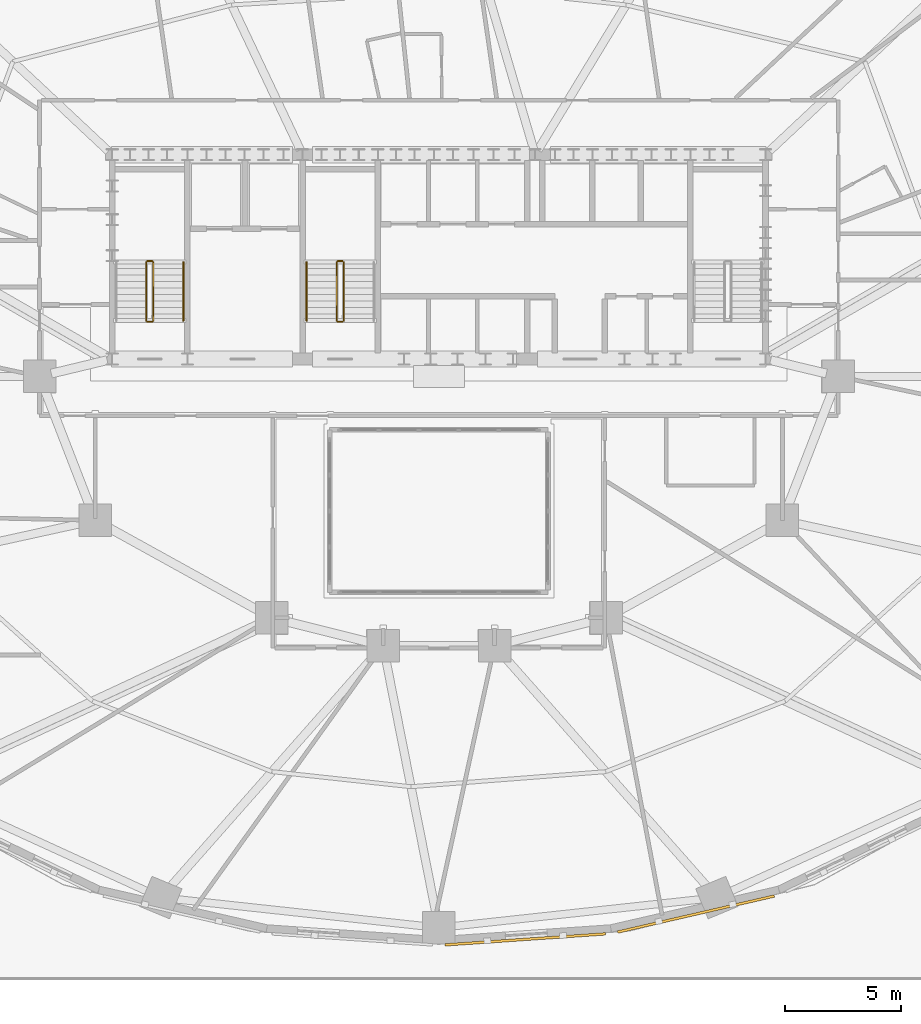
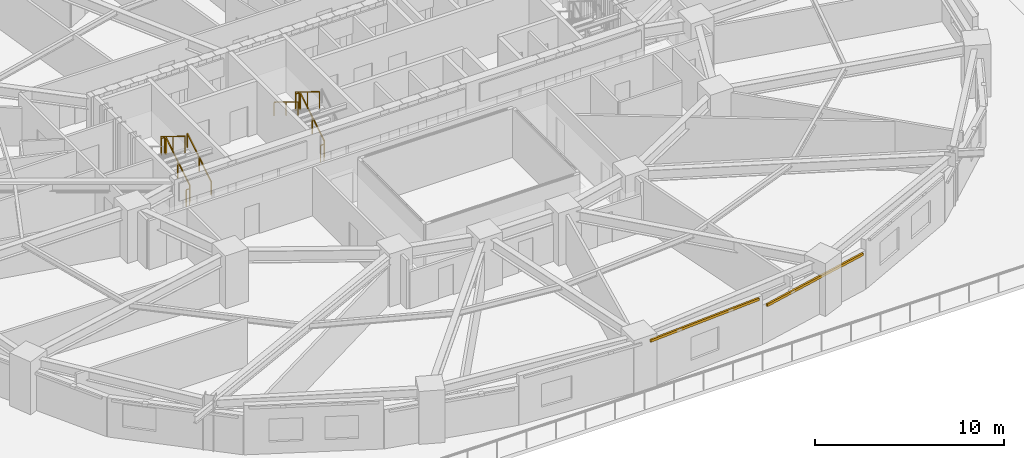
# One storey, part 14 of 18: 10 railings, 2 coverings.
"""IFC4 building model written with IfcOpenShell, lengths in metres."""

from ifc_helpers import new_model, si_unit, direction, frame, origin, origin_2d, place, context, subcontext, project, spatial, polyline, rectangle, outline, extrude, material, layer, layer_set, type_object, element, save


model = new_model("IFC4")

# Units and contexts
model_context = context("Model", 3, precision=1e-05, world=origin(), true_north=direction((0.0, 1.0)))
body_context = subcontext(model_context, "Body", "Model", "MODEL_VIEW")
ifc_project = project(units=[si_unit("LENGTHUNIT", "METRE"), si_unit("AREAUNIT", "SQUARE_METRE"), si_unit("VOLUMEUNIT", "CUBIC_METRE"), si_unit("PLANEANGLEUNIT", "RADIAN"), si_unit("MASSUNIT", "GRAM", prefix="KILO")], contexts=[model_context])

# Site, building, storey
site_placement = place(None, origin())
site = spatial("IfcSite", under=ifc_project, at=site_placement, CompositionType="ELEMENT")
building_placement = place(site_placement, origin())
building = spatial("IfcBuilding", under=site, at=building_placement, Name="Haldorwick Loom Tower", CompositionType="ELEMENT")
storey_placement = place(building_placement, frame((0.0, 0.0, 24.0)))
storey = spatial("IfcBuildingStorey", under=building, at=storey_placement, Name="L05", CompositionType="ELEMENT", Elevation=24.0)

# Coverings
ifc_material_1 = material(Name="Corbelled Pressed Clay Face Brick Veneer", Category="masonry")
ifc_layer = layer(ifc_material_1, 0.110107421875, Name="Corbelled Pressed Clay Face Brick Veneer", Category="masonry")
ifc_layer_set = layer_set([ifc_layer], Name="Corbelled Pressed Clay Face Brick Veneer")
covering_type = type_object("IfcCoveringType", Name="ARC-COV-BRICK110", PredefinedType="CLADDING", material=ifc_layer_set)
covering_1_placement = place(storey_placement, frame((0.0, 0.0, 3.050048828125)))
element("IfcCovering", 1, at=covering_1_placement, inside=storey, type_object=covering_type, Name="L05 Head Face-Brick Lintel Band 19", PredefinedType="CLADDING", context=body_context, shape_type="SweptSolid", body=[
    extrude(outline(polyline([(36.267822265625, 1.457763671875), (43.180419921875, 1.93310546875), (43.1728515625, 2.042724609375), (36.260498046875, 1.5673828125), (36.267822265625, 1.457763671875)])), origin(), (0.0, 0.0, 1.0), 0.159912109375),
])
covering_2_placement = place(storey_placement, frame((0.0, 0.0, 2.408935546875)))
element("IfcCovering", 2, at=covering_2_placement, inside=storey, type_object=covering_type, Name="L05 Head Face-Brick Lintel Band 20", PredefinedType="CLADDING", context=body_context, shape_type="SweptSolid", body=[
    extrude(outline(polyline([(43.715576171875, 2.012451171875), (50.461669921875, 3.565185546875), (50.43701171875, 3.67236328125), (43.69091796875, 2.11962890625), (43.715576171875, 2.012451171875)])), origin(), (0.0, 0.0, 1.0), 0.16015625),
])

# Railings
ifc_material_2 = material(Name="Steel CSA G40.21 350W", Category="steel")
railing_type_1 = type_object("IfcRailingType", Name="ARC-RLG-GUARD112", PredefinedType="GUARDRAIL", material=ifc_material_2)
railing_1_placement = place(storey_placement, frame((23.699951171875, 28.39990234375, 0.172607421875)))
element("IfcRailing", 3, at=railing_1_placement, inside=storey, type_object=railing_type_1, Name="L05 ST-01 stair guard 1", PredefinedType="GUARDRAIL", context=body_context, shape_type="SweptSolid", body=[
    extrude(rectangle(XDim=0.048095703125, YDim=0.048095703125, at=origin_2d()), frame((0.0, 0.0, 1.076171875), z_axis=(0.0, 0.851400495292, 0.524516154772), x_axis=(-1.0, 0.0, 0.0)), (0.0, 0.0, 1.0), 2.9599609375),
    extrude(rectangle(XDim=0.0419921875, YDim=0.0419921875, at=origin_2d()), origin(), (0.0, 0.0, 1.0), 1.052001953125),
    extrude(rectangle(XDim=0.0419921875, YDim=0.0419921875, at=origin_2d()), frame((0.0, 1.260009765625, 0.7763671875)), (0.0, 0.0, 1.0), 1.052001953125),
    extrude(rectangle(XDim=0.0419921875, YDim=0.0419921875, at=origin_2d()), frame((0.0, 2.52001953125, 1.552490234375)), (0.0, 0.0, 1.0), 1.052001953125),
])
railing_2_placement = place(storey_placement, frame((23.64990234375, 30.969970703125, 1.72509765625)))
element("IfcRailing", 4, at=railing_2_placement, inside=storey, type_object=railing_type_1, Name="L05 ST-01 stair guard 2", PredefinedType="GUARDRAIL", context=body_context, shape_type="SweptSolid", body=[
    extrude(rectangle(XDim=0.048095703125, YDim=0.048095703125, at=origin_2d()), frame((0.0, 0.0, 1.076171875), z_axis=(-1.0, 0.0, 0.0), x_axis=(0.0, -1.0, 0.0)), (0.0, 0.0, 1.0), 0.199951171875),
    extrude(rectangle(XDim=0.0419921875, YDim=0.0419921875, at=origin_2d()), origin(), (0.0, 0.0, 1.0), 1.052001953125),
    extrude(rectangle(XDim=0.0419921875, YDim=0.0419921875, at=origin_2d()), frame((-0.199951171875, 0.0, 0.0)), (0.0, 0.0, 1.0), 1.052001953125),
])
railing_3_placement = place(storey_placement, frame((23.39990234375, 30.919921875, 1.8974609375)))
element("IfcRailing", 5, at=railing_3_placement, inside=storey, type_object=railing_type_1, Name="L05 ST-01 stair guard 3", PredefinedType="GUARDRAIL", context=body_context, shape_type="SweptSolid", body=[
    extrude(rectangle(XDim=0.048095703125, YDim=0.048095703125, at=origin_2d()), frame((0.0, 0.0, 1.076171875), z_axis=(0.0, -0.851400495292, 0.524516154772), x_axis=(1.0, 0.0, 0.0)), (0.0, 0.0, 1.0), 2.9599609375),
    extrude(rectangle(XDim=0.0419921875, YDim=0.0419921875, at=origin_2d()), origin(), (0.0, 0.0, 1.0), 1.052001953125),
    extrude(rectangle(XDim=0.0419921875, YDim=0.0419921875, at=origin_2d()), frame((0.0, -1.260009765625, 0.7763671875)), (0.0, 0.0, 1.0), 1.052001953125),
    extrude(rectangle(XDim=0.0419921875, YDim=0.0419921875, at=origin_2d()), frame((0.0, -2.52001953125, 1.552490234375)), (0.0, 0.0, 1.0), 1.052001953125),
])
railing_4_placement = place(storey_placement, frame((23.64990234375, 28.35009765625, 0.0)))
element("IfcRailing", 6, at=railing_4_placement, inside=storey, type_object=railing_type_1, Name="L05 ST-01 stair guard 4", PredefinedType="GUARDRAIL", context=body_context, shape_type="SweptSolid", body=[
    extrude(rectangle(XDim=0.048095703125, YDim=0.048095703125, at=origin_2d()), frame((0.0, 0.0, 1.076171875), z_axis=(-1.0, 0.0, 0.0), x_axis=(0.0, -1.0, 0.0)), (0.0, 0.0, 1.0), 0.199951171875),
    extrude(rectangle(XDim=0.0419921875, YDim=0.0419921875, at=origin_2d()), origin(), (0.0, 0.0, 1.0), 1.052001953125),
    extrude(rectangle(XDim=0.0419921875, YDim=0.0419921875, at=origin_2d()), frame((-0.199951171875, 0.0, 0.0)), (0.0, 0.0, 1.0), 1.052001953125),
])
railing_5_placement = place(storey_placement, frame((31.89990234375, 28.39990234375, 0.172607421875)))
element("IfcRailing", 7, at=railing_5_placement, inside=storey, type_object=railing_type_1, Name="L05 ST-03 stair guard 1", PredefinedType="GUARDRAIL", context=body_context, shape_type="SweptSolid", body=[
    extrude(rectangle(XDim=0.048095703125, YDim=0.048095703125, at=origin_2d()), frame((0.0, 0.0, 1.076171875), z_axis=(0.0, 0.851400495292, 0.524516154772), x_axis=(-1.0, 0.0, 0.0)), (0.0, 0.0, 1.0), 2.9599609375),
    extrude(rectangle(XDim=0.0419921875, YDim=0.0419921875, at=origin_2d()), origin(), (0.0, 0.0, 1.0), 1.052001953125),
    extrude(rectangle(XDim=0.0419921875, YDim=0.0419921875, at=origin_2d()), frame((0.0, 1.260009765625, 0.7763671875)), (0.0, 0.0, 1.0), 1.052001953125),
    extrude(rectangle(XDim=0.0419921875, YDim=0.0419921875, at=origin_2d()), frame((0.0, 2.52001953125, 1.552490234375)), (0.0, 0.0, 1.0), 1.052001953125),
])
railing_6_placement = place(storey_placement, frame((31.85009765625, 30.969970703125, 1.72509765625)))
element("IfcRailing", 8, at=railing_6_placement, inside=storey, type_object=railing_type_1, Name="L05 ST-03 stair guard 2", PredefinedType="GUARDRAIL", context=body_context, shape_type="SweptSolid", body=[
    extrude(rectangle(XDim=0.048095703125, YDim=0.048095703125, at=origin_2d()), frame((0.0, 0.0, 1.076171875), z_axis=(-1.0, 0.0, 0.0), x_axis=(0.0, -1.0, 0.0)), (0.0, 0.0, 1.0), 0.2001953125),
    extrude(rectangle(XDim=0.0419921875, YDim=0.0419921875, at=origin_2d()), origin(), (0.0, 0.0, 1.0), 1.052001953125),
    extrude(rectangle(XDim=0.0419921875, YDim=0.0419921875, at=origin_2d()), frame((-0.2001953125, 0.0, 0.0)), (0.0, 0.0, 1.0), 1.052001953125),
])
railing_7_placement = place(storey_placement, frame((31.60009765625, 30.919921875, 1.8974609375)))
element("IfcRailing", 9, at=railing_7_placement, inside=storey, type_object=railing_type_1, Name="L05 ST-03 stair guard 3", PredefinedType="GUARDRAIL", context=body_context, shape_type="SweptSolid", body=[
    extrude(rectangle(XDim=0.048095703125, YDim=0.048095703125, at=origin_2d()), frame((0.0, 0.0, 1.076171875), z_axis=(0.0, -0.851400495292, 0.524516154772), x_axis=(1.0, 0.0, 0.0)), (0.0, 0.0, 1.0), 2.9599609375),
    extrude(rectangle(XDim=0.0419921875, YDim=0.0419921875, at=origin_2d()), origin(), (0.0, 0.0, 1.0), 1.052001953125),
    extrude(rectangle(XDim=0.0419921875, YDim=0.0419921875, at=origin_2d()), frame((0.0, -1.260009765625, 0.7763671875)), (0.0, 0.0, 1.0), 1.052001953125),
    extrude(rectangle(XDim=0.0419921875, YDim=0.0419921875, at=origin_2d()), frame((0.0, -2.52001953125, 1.552490234375)), (0.0, 0.0, 1.0), 1.052001953125),
])
railing_8_placement = place(storey_placement, frame((31.85009765625, 28.35009765625, 0.0)))
element("IfcRailing", 10, at=railing_8_placement, inside=storey, type_object=railing_type_1, Name="L05 ST-03 stair guard 4", PredefinedType="GUARDRAIL", context=body_context, shape_type="SweptSolid", body=[
    extrude(rectangle(XDim=0.048095703125, YDim=0.048095703125, at=origin_2d()), frame((0.0, 0.0, 1.076171875), z_axis=(-1.0, 0.0, 0.0), x_axis=(0.0, -1.0, 0.0)), (0.0, 0.0, 1.0), 0.2001953125),
    extrude(rectangle(XDim=0.0419921875, YDim=0.0419921875, at=origin_2d()), origin(), (0.0, 0.0, 1.0), 1.052001953125),
    extrude(rectangle(XDim=0.0419921875, YDim=0.0419921875, at=origin_2d()), frame((-0.2001953125, 0.0, 0.0)), (0.0, 0.0, 1.0), 1.052001953125),
])
railing_type_2 = type_object("IfcRailingType", Name="ARC-RLG-HAND092", PredefinedType="HANDRAIL", material=ifc_material_2)
railing_9_placement = place(storey_placement, frame((25.0, 28.39990234375, 0.172607421875)))
element("IfcRailing", 11, at=railing_9_placement, inside=storey, type_object=railing_type_2, Name="L05 ST-01 stair handrail 1", PredefinedType="HANDRAIL", context=body_context, shape_type="SweptSolid", body=[
    extrude(rectangle(XDim=0.048095703125, YDim=0.048095703125, at=origin_2d()), frame((0.0, 0.0, 0.8759765625), z_axis=(0.0, 0.851400495292, 0.524516154772), x_axis=(-1.0, 0.0, 0.0)), (0.0, 0.0, 1.0), 2.9599609375),
    extrude(rectangle(XDim=0.0419921875, YDim=0.0419921875, at=origin_2d()), origin(), (0.0, 0.0, 1.0), 0.851806640625),
    extrude(rectangle(XDim=0.0419921875, YDim=0.0419921875, at=origin_2d()), frame((0.0, 1.260009765625, 0.7763671875)), (0.0, 0.0, 1.0), 0.851806640625),
    extrude(rectangle(XDim=0.0419921875, YDim=0.0419921875, at=origin_2d()), frame((0.0, 2.52001953125, 1.552490234375)), (0.0, 0.0, 1.0), 0.851806640625),
])
railing_10_placement = place(storey_placement, frame((30.300048828125, 30.919921875, 1.8974609375)))
element("IfcRailing", 12, at=railing_10_placement, inside=storey, type_object=railing_type_2, Name="L05 ST-03 stair handrail 2", PredefinedType="HANDRAIL", context=body_context, shape_type="SweptSolid", body=[
    extrude(rectangle(XDim=0.048095703125, YDim=0.048095703125, at=origin_2d()), frame((0.0, 0.0, 0.8759765625), z_axis=(0.0, -0.851400495292, 0.524516154772), x_axis=(1.0, 0.0, 0.0)), (0.0, 0.0, 1.0), 2.9599609375),
    extrude(rectangle(XDim=0.0419921875, YDim=0.0419921875, at=origin_2d()), origin(), (0.0, 0.0, 1.0), 0.851806640625),
    extrude(rectangle(XDim=0.0419921875, YDim=0.0419921875, at=origin_2d()), frame((0.0, -1.260009765625, 0.7763671875)), (0.0, 0.0, 1.0), 0.851806640625),
    extrude(rectangle(XDim=0.0419921875, YDim=0.0419921875, at=origin_2d()), frame((0.0, -2.52001953125, 1.552490234375)), (0.0, 0.0, 1.0), 0.851806640625),
])

save(model, "model.ifc")
